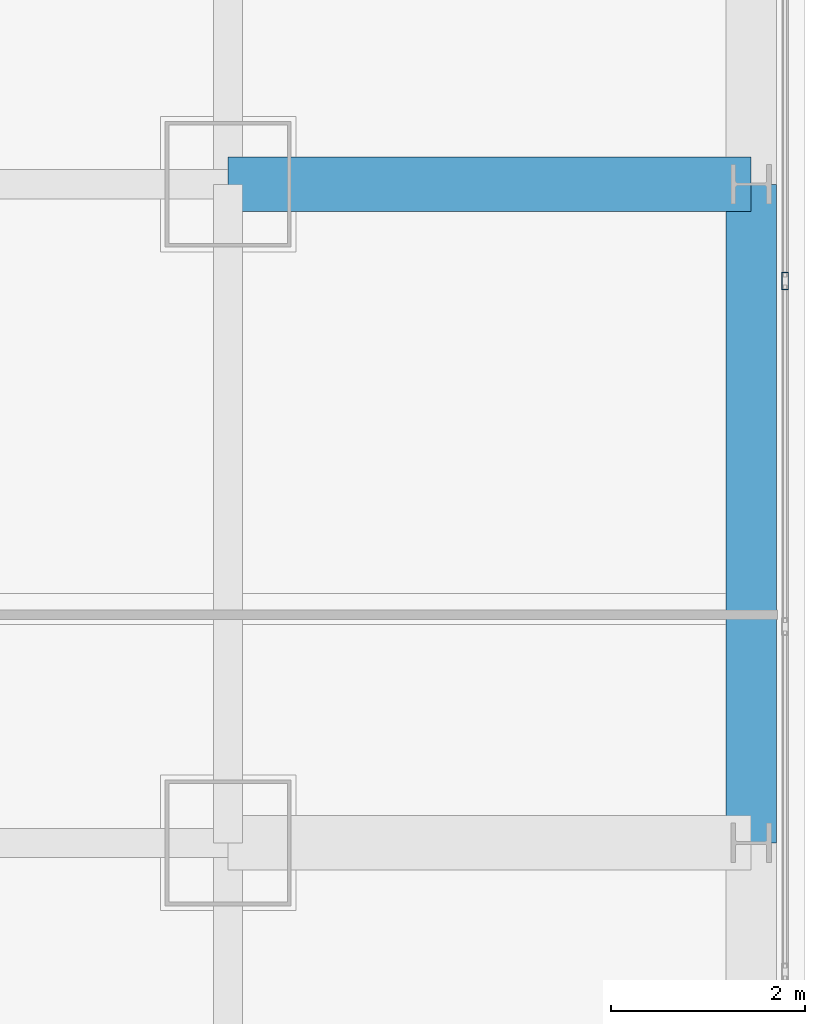
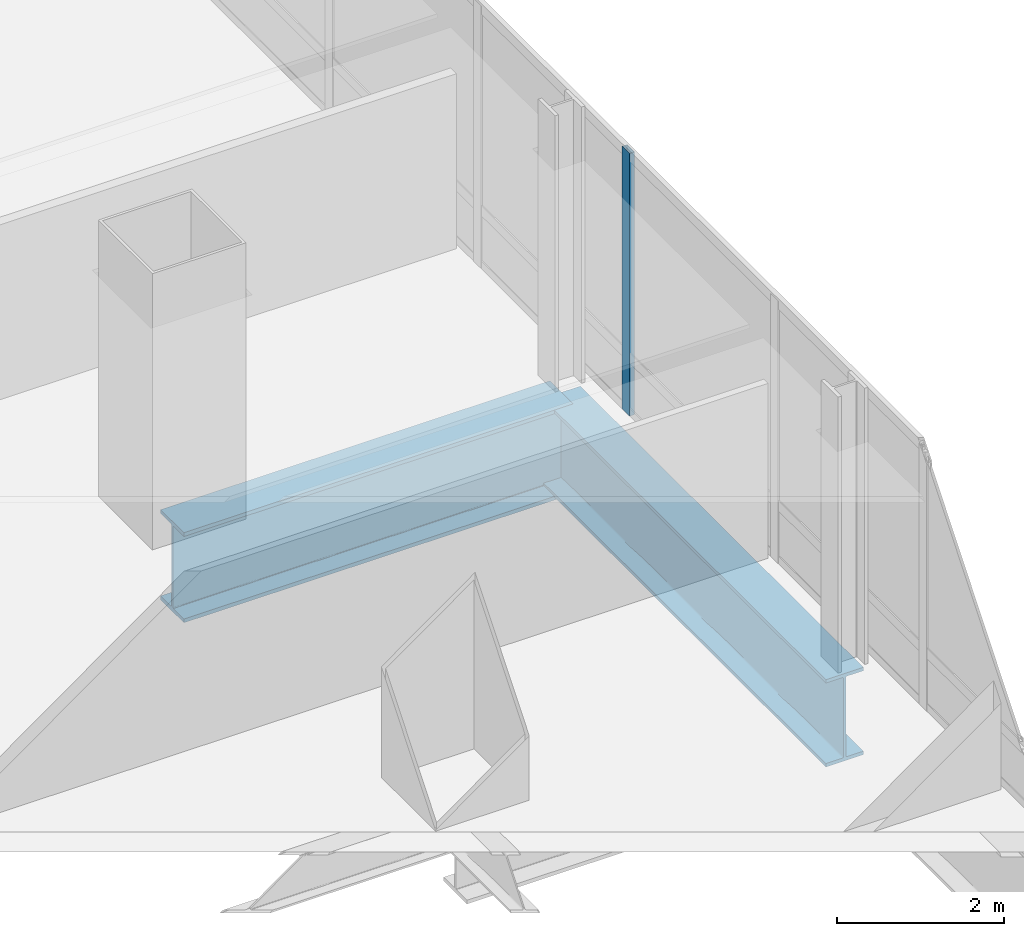
# One storey, part 19 of 42: 2 beams, 1 member, 1 element without a shape of its own.
"""IFC4 building model written with IfcOpenShell, lengths in metres."""

from ifc_helpers import new_model, si_unit, direction, frame, origin, origin_2d, place, context, subcontext, project, spatial, hollow_rectangle, i_section, extrude, material, material_profile, profile_set, type_object, element, aggregate, save


model = new_model("IFC4")

# Units and contexts
model_context = context("Model", 3, precision=1e-05, world=origin(), true_north=direction((0.0, 1.0)))
body_context = subcontext(model_context, "Body", "Model", "MODEL_VIEW")
ifc_project = project(units=[si_unit("LENGTHUNIT", "METRE"), si_unit("AREAUNIT", "SQUARE_METRE"), si_unit("VOLUMEUNIT", "CUBIC_METRE"), si_unit("PLANEANGLEUNIT", "RADIAN"), si_unit("MASSUNIT", "GRAM", prefix="KILO")], contexts=[model_context])

# Site, building, storey
site_placement = place(None, origin())
site = spatial("IfcSite", under=ifc_project, at=site_placement, CompositionType="ELEMENT")
building_placement = place(site_placement, origin())
building = spatial("IfcBuilding", under=site, at=building_placement, Name="Punatoya Terracotta Tower", CompositionType="ELEMENT")
storey_placement = place(building_placement, frame((0.0, 0.0, 255.449951171875)))
storey = spatial("IfcBuildingStorey", under=building, at=storey_placement, Name="L60", CompositionType="ELEMENT", Elevation=255.449951171875)

# Beams
ifc_material_1 = material(Name="Steel S460", Category="steel")
ifc_material_profile_1 = material_profile(ifc_material_1, i_section(OverallWidth=0.56005859375, OverallDepth=1.320068359375, WebThickness=0.035888671875, FlangeThickness=0.054931640625, FilletRadius=0.01806640625, at=origin_2d()))
ifc_profile_set_1 = profile_set([ifc_material_profile_1], Name="Steel S460")
beam_type_1 = type_object("IfcBeamType", Name="BM-TG-BLK", PredefinedType="BEAM", material=ifc_profile_set_1)
beam_1_placement = place(storey_placement, frame((19.10009765625, 3.39990234375, -0.85986328125), z_axis=(1.0, 0.0, 0.0), x_axis=(0.0, 1.0, 0.0)))
element("IfcBeam", 1, at=beam_1_placement, inside=storey, type_object=beam_type_1, Name="BM-L60-CANT-E3", PredefinedType="BEAM", context=body_context, shape_type="SweptSolid", body=[
    extrude(i_section(OverallWidth=0.56005859375, OverallDepth=1.320068359375, WebThickness=0.035888671875, FlangeThickness=0.054931640625, FilletRadius=0.01806640625, at=origin_2d()), origin(), (0.0, 0.0, 1.0), 5.39990234375),
])
ifc_material_profile_2 = material_profile(ifc_material_1, i_section(OverallWidth=0.52001953125, OverallDepth=1.280029296875, WebThickness=0.031982421875, FlangeThickness=0.050048828125, FilletRadius=0.01806640625, at=origin_2d()))
ifc_profile_set_2 = profile_set([ifc_material_profile_2], Name="Steel S460")
beam_type_2 = type_object("IfcBeamType", Name="BM-TG-NCK", PredefinedType="BEAM", material=ifc_profile_set_2)
beam_2_placement = place(storey_placement, frame((24.5, -3.39990234375, -0.83984375), z_axis=(0.0, 1.0, 0.0), x_axis=(-1.0, 0.0, 0.0)))
element("IfcBeam", 2, at=beam_2_placement, inside=storey, type_object=beam_type_2, Name="BM-L60-PER-E2", PredefinedType="BEAM", context=body_context, shape_type="SweptSolid", body=[
    extrude(i_section(OverallWidth=0.52001953125, OverallDepth=1.280029296875, WebThickness=0.031982421875, FlangeThickness=0.050048828125, FilletRadius=0.01806640625, at=origin_2d()), origin(), (0.0, 0.0, 1.0), 6.7998046875),
])

# Curtain wall, member
ifc_material_2 = material(Name="Aluminium 6063-T6 + Double Low-E Glass", Category="aluminium")
curtain_wall_type = type_object("IfcCurtainWallType", Name="CW-M3", PredefinedType="NOTDEFINED", material=ifc_material_2)
curtain_wall_placement = place(storey_placement, origin())
curtain_wall = element("IfcCurtainWall", 3, at=curtain_wall_placement, inside=storey, type_object=curtain_wall_type, Name="L60 Curtain Wall CW-L60-E05-1", PredefinedType="NOTDEFINED")
ifc_material_3 = material(Name="Aluminium 6063-T6", Category="aluminium")
ifc_material_profile_3 = material_profile(ifc_material_3, hollow_rectangle(XDim=0.070068359375, YDim=0.179931640625, WallThickness=0.00390625, at=origin_2d()))
ifc_profile_set_3 = profile_set([ifc_material_profile_3], Name="Aluminium 6063-T6")
member_type = type_object("IfcMemberType", Name="CW-MUL-M3", PredefinedType="MULLION", material=ifc_profile_set_3)
member_placement = place(storey_placement, frame((24.85009765625, 2.39990234375, 0.0), z_axis=(0.0, 0.0, 1.0), x_axis=(1.0, 0.0, 0.0)))
member = element("IfcMember", 4, at=member_placement, type_object=member_type, Name="CW-L60-E05-1 Mullion 05", PredefinedType="MULLION", context=body_context, shape_type="SweptSolid", body=[
    extrude(hollow_rectangle(XDim=0.070068359375, YDim=0.179931640625, WallThickness=0.00390625, at=origin_2d()), origin(), (0.0, 0.0, 1.0), 3.85009765625),
])
aggregate(curtain_wall, [member])

save(model, "model.ifc")
